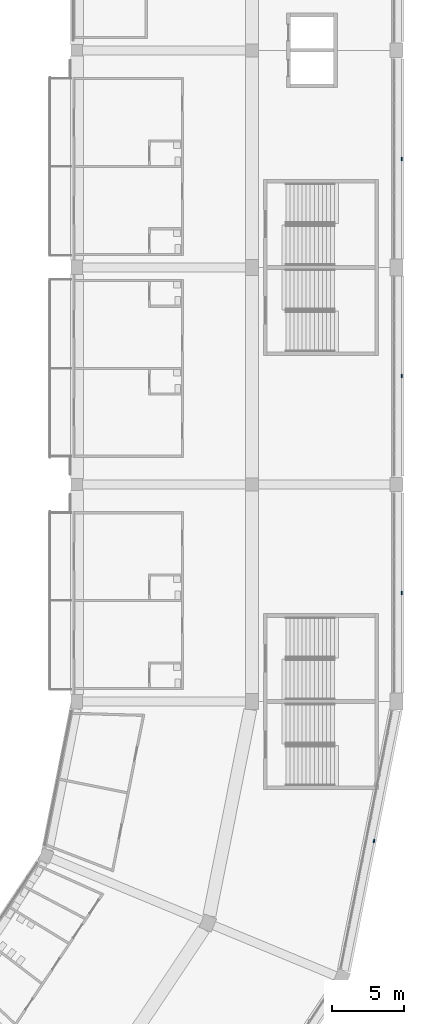
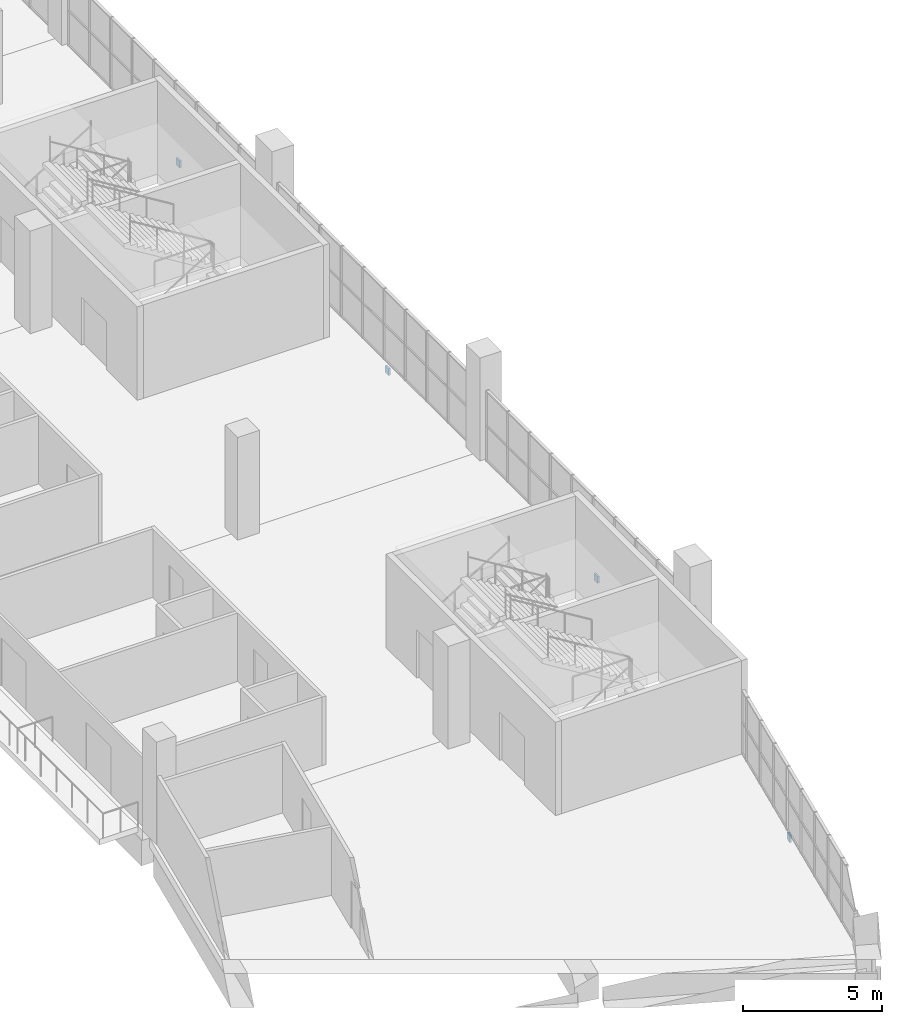
# One storey, part 94 of 199: 4 discrete accessories.
"""IFC4 building model written with IfcOpenShell, lengths in metres."""

import ifcopenshell
import ifcopenshell.guid

model = None  # the IFC model being written
_history = None  # IfcOwnerHistory: only IFC2X3 demands one
_inside = {}  # id of a spatial element -> (the spatial element, [elements in it])
_under = {}  # id of a project, library or spatial element -> (it, [spatial elements below it])
_declared = {}  # id of a project -> (the project, [libraries it declares])
_typed = {}  # id of a type object -> (the type object, [elements of that type])
_made_of = {}  # id of a material, layer set ... -> (it, [elements and type objects made of it])


def new_model(schema):
    """Start an empty IFC model of exactly this schema.

    Asked for "IFC4X3", IfcOpenShell would pick the latest addendum, in which some entities
    have other attributes; the version numbers below select the first issue.
    IFC2X3 requires an IfcOwnerHistory on every rooted entity: one is made here for all.
    """
    global model, _history
    if schema == "IFC4X3":
        model = ifcopenshell.file(schema_version=(4, 3, 0, 0))
    else:
        model = ifcopenshell.file(schema=schema)
    _inside.clear()
    _under.clear()
    _declared.clear()
    _typed.clear()
    _made_of.clear()
    _history = None
    if model.schema == "IFC2X3":
        org = make("IfcOrganization", Name="unknown")
        user = make(
            "IfcPersonAndOrganization",
            ThePerson=make("IfcPerson", FamilyName="unknown"),
            TheOrganization=org,
        )
        app = make(
            "IfcApplication",
            ApplicationDeveloper=org,
            Version="unknown",
            ApplicationFullName="unknown",
            ApplicationIdentifier="unknown",
        )
        _history = make(
            "IfcOwnerHistory",
            OwningUser=user,
            OwningApplication=app,
            ChangeAction="ADDED",
            CreationDate=0,
        )
    return model


def make(cls, **values):
    """One entity of the class cls with the attributes given. An attribute that is None is left unset."""
    return model.create_entity(
        cls, **{name: value for name, value in values.items() if value is not None}
    )


def rooted(cls, **values):
    """An entity with a GlobalId (a new one), such as an element, a storey or a relation."""
    return make(cls, GlobalId=ifcopenshell.guid.new(), OwnerHistory=_history, **values)


def si_unit(unit_type, name, prefix=None):
    """IfcSIUnit, for example si_unit("LENGTHUNIT", "METRE", prefix="MILLI")."""
    return make("IfcSIUnit", UnitType=unit_type, Prefix=prefix, Name=name)


def assignment(units):
    """IfcUnitAssignment: the units of a project."""
    return None if units is None else make("IfcUnitAssignment", Units=units)


def point(xyz):
    """IfcCartesianPoint."""
    return None if xyz is None else make("IfcCartesianPoint", Coordinates=xyz)


def direction(xyz):
    """IfcDirection."""
    return None if xyz is None else make("IfcDirection", DirectionRatios=xyz)


def frame(location, z_axis=None, x_axis=None):
    """IfcAxis2Placement3D, a coordinate frame: its origin and axes. An axis left out is left unset."""
    return make(
        "IfcAxis2Placement3D",
        Location=point(location),
        Axis=direction(z_axis),
        RefDirection=direction(x_axis),
    )


def frame_2d(location, x_axis=None):
    """IfcAxis2Placement2D, a coordinate frame in the plane: its origin and x axis."""
    return make(
        "IfcAxis2Placement2D", Location=point(location), RefDirection=direction(x_axis)
    )


def origin():
    """The frame at (0, 0, 0) with its axes left unset."""
    return frame((0.0, 0.0, 0.0))


def origin_2d():
    """The frame at (0, 0) in the plane with its x axis left unset."""
    return frame_2d((0.0, 0.0))


def place(relative_to, where):
    """IfcLocalPlacement: puts the frame where relative to a parent placement (None: the world)."""
    return make(
        "IfcLocalPlacement", PlacementRelTo=relative_to, RelativePlacement=where
    )


def context(
    kind, dimensions, precision=None, world=None, true_north=None, identifier=None
):
    """IfcGeometricRepresentationContext, for example the 3D "Model" context."""
    return make(
        "IfcGeometricRepresentationContext",
        ContextIdentifier=identifier,
        ContextType=kind,
        CoordinateSpaceDimension=dimensions,
        Precision=precision,
        WorldCoordinateSystem=world,
        TrueNorth=true_north,
    )


def subcontext(parent, identifier, kind, view, scale=None):
    """IfcGeometricRepresentationSubContext, for example "Body" below "Model"."""
    return make(
        "IfcGeometricRepresentationSubContext",
        ContextIdentifier=identifier,
        ContextType=kind,
        ParentContext=parent,
        TargetScale=scale,
        TargetView=view,
    )


def project(units=None, contexts=None):
    """IfcProject with its units and contexts."""
    return rooted(
        "IfcProject",
        Name="project",
        RepresentationContexts=contexts,
        UnitsInContext=assignment(units),
    )


def spatial(cls, under=None, at=None, **own):
    """A site, building, storey or space (cls), placed at a placement, below another one or the project."""
    s = rooted(cls, ObjectPlacement=at, **own)
    if under is not None:
        _under.setdefault(under.id(), (under, []))[1].append(s)
    return s


def profile(cls, at=None, kind="AREA", **sizes):
    """A parametric profile (cls). Its sizes go by their IFC names, for example OverallWidth=200.0."""
    return make(cls, ProfileType=kind, Position=at, **sizes)


def rectangle(**sizes):
    """IfcRectangleProfileDef."""
    return profile("IfcRectangleProfileDef", **sizes)


def extrude(swept, where, along, depth):
    """IfcExtrudedAreaSolid: the profile swept, set in the frame where, extruded along a direction by depth."""
    return make(
        "IfcExtrudedAreaSolid",
        SweptArea=swept,
        Position=where,
        ExtrudedDirection=direction(along),
        Depth=depth,
    )


def shape(context_of_items, identifier, shape_type, items):
    """IfcShapeRepresentation: the items that make up one representation, for example the "Body"."""
    return make(
        "IfcShapeRepresentation",
        ContextOfItems=context_of_items,
        RepresentationIdentifier=identifier,
        RepresentationType=shape_type,
        Items=items,
    )


def material(Name=None, Category=None):
    """IfcMaterial."""
    return make("IfcMaterial", Name=Name, Category=Category)


def layer(
    of_material, thickness, ventilated=None, Name=None, Category=None, Priority=None
):
    """IfcMaterialLayer: one layer of a wall or slab, of a material (None: an air gap)."""
    return make(
        "IfcMaterialLayer",
        Material=of_material,
        LayerThickness=thickness,
        IsVentilated=ventilated,
        Name=Name,
        Category=Category,
        Priority=Priority,
    )


def layer_set(layers, Name=None):
    """IfcMaterialLayerSet."""
    return make("IfcMaterialLayerSet", MaterialLayers=layers, LayerSetName=Name)


def made_of(thing, what):
    """Note that an element or type object is made of a material, layer set ...; save() writes the relation."""
    if what is not None:
        _made_of.setdefault(what.id(), (what, []))[1].append(thing)
    return thing


def type_object(cls, material=None, **own):
    """A type object (cls), such as IfcWallType, which elements share."""
    return made_of(rooted(cls, **own), material)


def element(
    cls,
    number,
    at=None,
    inside=None,
    cuts=None,
    type_object=None,
    material=None,
    context=None,
    identifier="Body",
    shape_type=None,
    held_by="IfcProductDefinitionShape",
    body=None,
    shapes=None,
    **own,
):
    """One element of the class cls, such as IfcWall. Its Tag is "e" and its number.

    at: its placement. inside: the storey or other place that contains it. cuts: it is an
    opening in that element (IfcRelVoidsElement). A single representation is given by context,
    identifier, shape_type and body (its items); several are given by shapes. held_by: the class
    of the entity that holds the representations. save() writes the other relations.
    """
    e = rooted(cls, Tag="e%d" % number, ObjectPlacement=at, **own)
    if body is not None:
        shapes = [shape(context, identifier, shape_type, body)]
    if shapes is not None:
        e.Representation = make(held_by, Representations=shapes)
    if inside is not None:
        _inside.setdefault(inside.id(), (inside, []))[1].append(e)
    if cuts is not None:
        rooted(
            "IfcRelVoidsElement", RelatingBuildingElement=cuts, RelatedOpeningElement=e
        )
    if type_object is not None:
        _typed.setdefault(type_object.id(), (type_object, []))[1].append(e)
    return made_of(e, material)


def aggregate(whole, parts):
    """IfcRelAggregates: a whole, such as a stair, and the parts it consists of."""
    return rooted("IfcRelAggregates", RelatingObject=whole, RelatedObjects=parts)


def save(model, path):
    """Write the relations noted so far, then the file.

    IfcRelAggregates (storeys below a building ...), IfcRelContainedInSpatialStructure (elements
    in a storey), IfcRelDefinesByType, IfcRelAssociatesMaterial and IfcRelDeclares: one each for
    every whole, place, type object, material and project.
    """
    for whole, parts in _under.values():
        aggregate(whole, parts)
    for where, things in _inside.values():
        rooted(
            "IfcRelContainedInSpatialStructure",
            RelatedElements=things,
            RelatingStructure=where,
        )
    for kind, things in _typed.values():
        rooted("IfcRelDefinesByType", RelatedObjects=things, RelatingType=kind)
    for what, things in _made_of.values():
        rooted("IfcRelAssociatesMaterial", RelatedObjects=things, RelatingMaterial=what)
    for by, libraries in _declared.values():
        rooted("IfcRelDeclares", RelatingContext=by, RelatedDefinitions=libraries)
    model.write(path)


model = new_model("IFC4")

# Units and contexts
model_context = context("Model", 3, precision=1e-05, world=origin(), true_north=direction((0.0, 1.0)))
body_context = subcontext(model_context, "Body", "Model", "MODEL_VIEW")
ifc_project = project(units=[si_unit("LENGTHUNIT", "METRE"), si_unit("AREAUNIT", "SQUARE_METRE"), si_unit("VOLUMEUNIT", "CUBIC_METRE"), si_unit("PLANEANGLEUNIT", "RADIAN"), si_unit("MASSUNIT", "GRAM", prefix="KILO")], contexts=[model_context])

# Site, building, storey
site_placement = place(None, origin())
site = spatial("IfcSite", under=ifc_project, at=site_placement, CompositionType="ELEMENT")
building_placement = place(site_placement, origin())
building = spatial("IfcBuilding", under=site, at=building_placement, Name="Ogive Plaza Stadium", CompositionType="ELEMENT")
storey_placement = place(building_placement, frame((0.0, 0.0, 9.0)))
storey = spatial("IfcBuildingStorey", under=building, at=storey_placement, Name="L02", CompositionType="ELEMENT", Elevation=9.0)

# Discrete accessories
ifc_material = material(Name="Steel ASTM A572 Grade 50", Category="steel")
ifc_layer = layer(ifc_material, 0.080078125)
ifc_layer_set = layer_set([ifc_layer], Name="Steel ASTM A572 Grade 50")
discrete_accessory_type = type_object("IfcDiscreteAccessoryType", Name="Spandrel cladding bracket 250x300", PredefinedType="BRACKET", material=ifc_layer_set)
for number, where, z_axis, x_axis, name in (
    (1, (84.35009765625, -15.0, -1.31005859375), (0.0, 0.0, 1.0), (0.0, -1.0, 0.0), "SPANDREL BRACKET B05 L02"),
    (2, (84.35009765625, -30.0, -1.31005859375), (0.0, 0.0, 1.0), (0.0, -1.0, 0.0), "SPANDREL BRACKET B06 L02"),
    (3, (84.35009765625, -45.0, -1.31005859375), (0.0, 0.0, 1.0), (0.0, -1.0, 0.0), "SPANDREL BRACKET B07 L02"),
    (4, (82.440185546875, -62.135498046875, -1.60986328125), (0.0, 0.0, 1.0), (-0.195090322016, -0.980785280403, 0.0), "SPANDREL BRACKET B08 L02"),
):
    element("IfcDiscreteAccessory", number, at=place(storey_placement, frame(where, z_axis=z_axis, x_axis=x_axis)), inside=storey, type_object=discrete_accessory_type, Name=name, PredefinedType="BRACKET", context=body_context, shape_type="SweptSolid", body=[
        extrude(rectangle(XDim=0.25, YDim=0.080078125, at=origin_2d()), origin(), (0.0, 0.0, 1.0), 0.300048828125),
    ])

save(model, "model.ifc")
